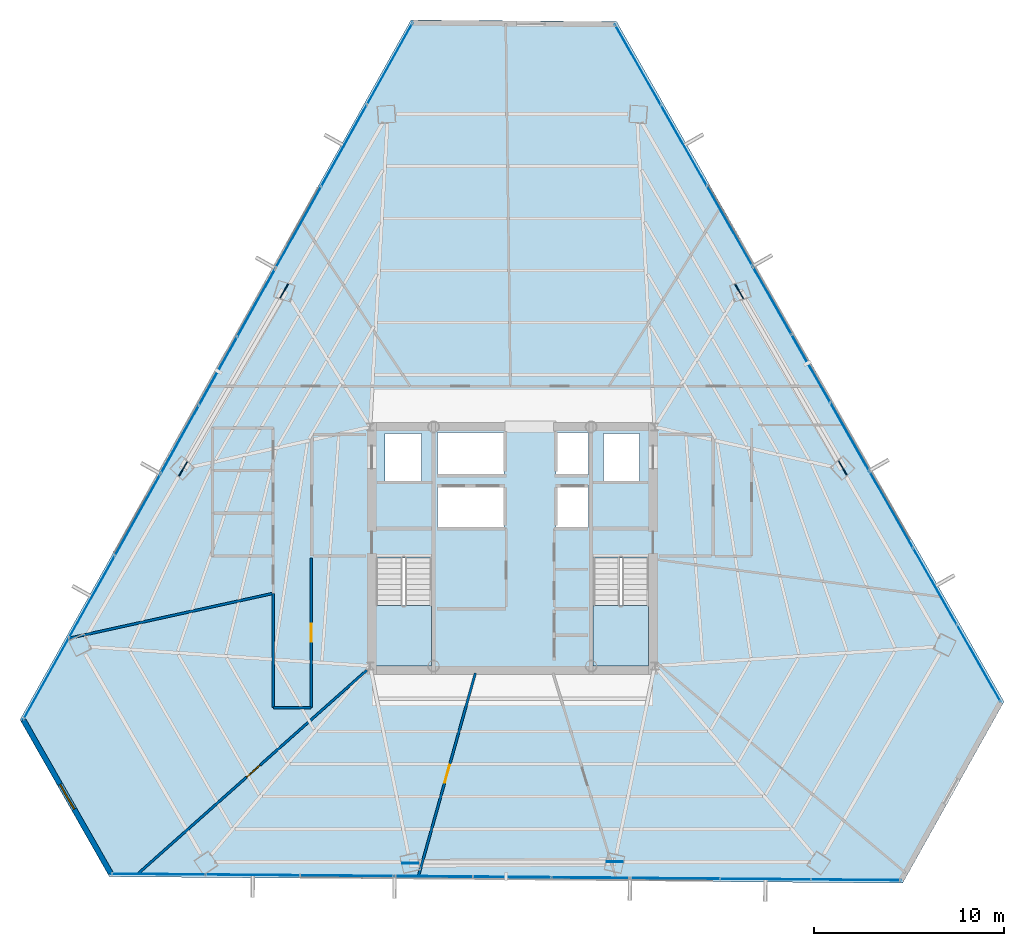
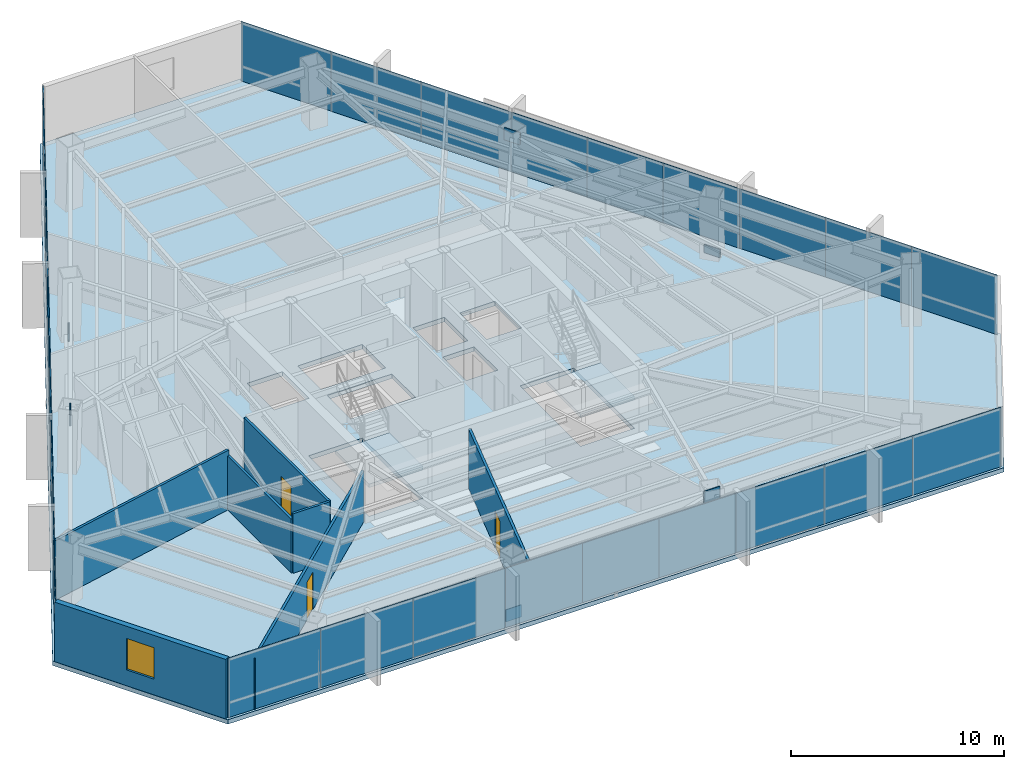
# One storey, part 33 of 39: 33 plates, 7 walls, 3 doors, 3 slabs, 1 window, 4 openings, 11 elements without a shape of their own.
"""IFC4 building model written with IfcOpenShell, lengths in metres."""

from ifc_helpers import new_model, si_unit, direction, frame, frame_2d, origin, origin_2d, place, context, subcontext, project, spatial, polyline, rectangle, outline, extrude, source, transform, mapped, material, layer, layer_set, type_object, type_shapes, element, fill, aggregate, save


model = new_model("IFC4")

# Units and contexts
model_context = context("Model", 3, precision=1e-05, world=origin(), true_north=direction((0.0, 1.0)))
body_context = subcontext(model_context, "Body", "Model", "MODEL_VIEW")
ifc_project = project(units=[si_unit("LENGTHUNIT", "METRE"), si_unit("AREAUNIT", "SQUARE_METRE"), si_unit("VOLUMEUNIT", "CUBIC_METRE"), si_unit("PLANEANGLEUNIT", "RADIAN"), si_unit("MASSUNIT", "GRAM", prefix="KILO")], contexts=[model_context])

# Site, building, storey
site_placement = place(None, origin())
site = spatial("IfcSite", under=ifc_project, at=site_placement, CompositionType="ELEMENT")
building_placement = place(site_placement, origin())
building = spatial("IfcBuilding", under=site, at=building_placement, Name="Caelisora Broadcast Tower", CompositionType="ELEMENT")
storey_placement = place(building_placement, frame((0.0, 0.0, 139.10009765625)))
storey = spatial("IfcBuildingStorey", under=building, at=storey_placement, Name="L36", CompositionType="ELEMENT", Elevation=139.10009765625)

# Slab
ifc_material_1 = material(Name="Concrete 40 MPa (AS 3600 N40)", Category="concrete")
ifc_layer_1 = layer(ifc_material_1, 0.25, Name="Concrete 40 MPa (AS 3600 N40)")
ifc_layer_set_1 = layer_set([ifc_layer_1], Name="Concrete 40 MPa (AS 3600 N40)")
slab_type_1 = type_object("IfcSlabType", Name="SL04", PredefinedType="FLOOR", material=ifc_layer_set_1)
slab_1_placement = place(storey_placement, frame((0.0, 0.0, -0.25)))
element("IfcSlab", 1, at=slab_1_placement, inside=storey, type_object=slab_type_1, Name="L36 suspended floor SL04", PredefinedType="FLOOR", context=body_context, shape_type="SweptSolid", body=[
    extrude(outline(polyline([(43.493896484375, 51.34912109375), (32.658935546875, 51.43798828125), (12.05908203125, 14.572021484375), (16.76806640625, 6.303955078125), (58.56103515625, 5.9619140625), (63.902099609375, 15.52001953125), (43.493896484375, 51.34912109375)]), holes=[polyline([(30.820068359375, 17.39990234375), (33.739990234375, 17.39990234375), (33.739990234375, 23.080078125), (30.820068359375, 23.080078125), (30.820068359375, 17.39990234375)]), polyline([(42.260009765625, 17.39990234375), (45.179931640625, 17.39990234375), (45.179931640625, 23.080078125), (42.260009765625, 23.080078125), (42.260009765625, 17.39990234375)]), polyline([(42.800048828125, 27.14990234375), (44.699951171875, 27.14990234375), (44.699951171875, 29.64990234375), (42.800048828125, 29.64990234375), (42.800048828125, 27.14990234375)]), polyline([(40.300048828125, 24.719970703125), (42.0, 24.719970703125), (42.0, 26.919921875), (40.300048828125, 26.919921875), (40.300048828125, 24.719970703125)]), polyline([(40.300048828125, 27.5), (42.0, 27.5), (42.0, 29.699951171875), (40.300048828125, 29.699951171875), (40.300048828125, 27.5)]), polyline([(34.050048828125, 24.719970703125), (37.550048828125, 24.719970703125), (37.550048828125, 26.919921875), (34.050048828125, 26.919921875), (34.050048828125, 24.719970703125)]), polyline([(34.050048828125, 27.5), (37.550048828125, 27.5), (37.550048828125, 29.699951171875), (34.050048828125, 29.699951171875), (34.050048828125, 27.5)]), polyline([(31.300048828125, 27.14990234375), (33.199951171875, 27.14990234375), (33.199951171875, 29.64990234375), (31.300048828125, 29.64990234375), (31.300048828125, 27.14990234375)])]), origin(), (0.0, 0.0, 1.0), 0.25),
])

# Stair, slab
stair_type_1 = type_object("IfcStairType", Name="ST-1", PredefinedType="HALF_TURN_STAIR", material=ifc_material_1)
stair_1_placement = place(storey_placement, origin())
stair_1 = element("IfcStair", 2, at=stair_1_placement, inside=storey, type_object=stair_type_1, Name="L36 West Fire-Isolated Tower Stair", PredefinedType="HALF_TURN_STAIR")
ifc_layer_2 = layer(ifc_material_1, 0.199951171875, Name="Concrete 40 MPa (AS 3600 N40)")
ifc_layer_set_2 = layer_set([ifc_layer_2], Name="Concrete 40 MPa (AS 3600 N40)")
slab_type_2 = type_object("IfcSlabType", Name="STL-1", PredefinedType="LANDING", material=ifc_layer_set_2)
slab_2_placement = place(storey_placement, frame((0.0, 0.0, 1.625)))
slab_2 = element("IfcSlab", 3, at=slab_2_placement, type_object=slab_type_2, Name="ST-1 landing 1", PredefinedType="LANDING", context=body_context, shape_type="SweptSolid", body=[
    extrude(outline(polyline([(30.820068359375, 20.580078125), (30.820068359375, 17.39990234375), (33.739990234375, 17.39990234375), (33.739990234375, 20.580078125), (30.820068359375, 20.580078125)])), origin(), (0.0, 0.0, 1.0), 0.199951171875),
])
aggregate(stair_1, [slab_2])

stair_type_2 = type_object("IfcStairType", Name="ST-2", PredefinedType="HALF_TURN_STAIR", material=ifc_material_1)
stair_2_placement = place(storey_placement, origin())
stair_2 = element("IfcStair", 4, at=stair_2_placement, inside=storey, type_object=stair_type_2, Name="L36 East Fire-Isolated Tower Stair", PredefinedType="HALF_TURN_STAIR")
slab_3_placement = place(storey_placement, frame((0.0, 0.0, 1.625)))
slab_3 = element("IfcSlab", 5, at=slab_3_placement, type_object=slab_type_2, Name="ST-2 landing 1", PredefinedType="LANDING", context=body_context, shape_type="SweptSolid", body=[
    extrude(outline(polyline([(42.260009765625, 20.580078125), (42.260009765625, 17.39990234375), (45.179931640625, 17.39990234375), (45.179931640625, 20.580078125), (42.260009765625, 20.580078125)])), origin(), (0.0, 0.0, 1.0), 0.199951171875),
])
aggregate(stair_2, [slab_3])

# Plates
ifc_material_2 = material(Name="Steel Grade 350 L15 (AS/NZS 3678)", Category="steel")
ifc_layer_3 = layer(ifc_material_2, 0.050048828125, Name="Steel Grade 350 L15 (AS/NZS 3678)")
ifc_layer_set_3 = layer_set([ifc_layer_3], Name="Steel Grade 350 L15 (AS/NZS 3678)")
plate_type_1 = type_object("IfcPlateType", Name="GP03", PredefinedType="USERDEFINED", material=ifc_layer_set_3)
shared_shape_1 = source(origin(), body_context, "Body", "SweptSolid", [
    extrude(rectangle(XDim=0.85009765625, YDim=0.050048828125, at=origin_2d()), origin(), (0.0, 0.0, 1.0), 0.699951171875),
])
type_shapes(plate_type_1, [shared_shape_1])
for number, where, z_axis, x_axis, name in (
    (6, (25.97412109375, 37.1533203125, -0.22998046875), (0.0, 0.0, 1.0), (-0.5, -0.866025403784, 0.0), "L36 gusset plate GP03 (ND-L36-C02B)"),
    (7, (20.650390625, 27.787841796875, 2.72998046875), (0.0, 0.0, 1.0), (-0.5, -0.866025403784, 0.0), "L36 gusset plate GP03 (ND-L36-C03T)"),
    (8, (32.6220703125, 7.008544921875, -0.22998046875), (0.0, 0.0, 1.0), (1.0, 0.0, 0.0), "L36 gusset plate GP03 (ND-L36-C06B)"),
    (9, (43.394287109375, 7.080810546875, 2.72998046875), (0.0, 0.0, 1.0), (1.0, 0.0, 0.0), "L36 gusset plate GP03 (ND-L36-C07T)"),
    (10, (55.404052734375, 27.838134765625, -0.22998046875), (0.0, 0.0, 1.0), (-0.5, 0.866025403784, 0.0), "L36 gusset plate GP03 (ND-L36-C10B)"),
    (11, (49.955078125, 37.13134765625, 2.72998046875), (0.0, 0.0, 1.0), (-0.5, 0.866025403784, 0.0), "L36 gusset plate GP03 (ND-L36-C11T)"),
):
    element("IfcPlate", number, at=place(storey_placement, frame(where, z_axis=z_axis, x_axis=x_axis)), inside=storey, type_object=plate_type_1, Name=name, ObjectType="GUSSET PLATE", PredefinedType="USERDEFINED", context=body_context, shape_type="MappedRepresentation", body=[
        mapped(shared_shape_1, transform((0.0, 0.0, 0.0), scale=1.0)),
    ])

# Curtain wall, plates
ifc_material_3 = material(Name="Unitised Aluminium and Low-E Glass Curtain Wall", Category="glass")
curtain_wall_type_1 = type_object("IfcCurtainWallType", Name="CW-Z3", PredefinedType="NOTDEFINED", material=ifc_material_3)
curtain_wall_1_placement = place(storey_placement, origin())
curtain_wall_1 = element("IfcCurtainWall", 12, at=curtain_wall_1_placement, inside=storey, type_object=curtain_wall_type_1, Name="L36 curtain wall CW-Z3", PredefinedType="NOTDEFINED")
ifc_material_4 = material(Name="Double Glazed Low-E Argon IGU", Category="glass")
ifc_layer_4 = layer(ifc_material_4, 0.031982421875, Name="Double Glazed Low-E Argon IGU")
ifc_layer_set_4 = layer_set([ifc_layer_4], Name="Double Glazed Low-E Argon IGU")
plate_type_2 = type_object("IfcPlateType", Name="CWP-04", PredefinedType="CURTAIN_PANEL", material=ifc_layer_set_4)
shared_shape_2 = source(origin(), body_context, "Body", "SweptSolid", [
    extrude(rectangle(XDim=4.884033203125, YDim=0.031982421875, at=origin_2d()), origin(), (0.0, 0.0, 1.0), 3.39990234375),
])
plate_1_placement = place(storey_placement, frame((44.61474609375, 49.078125, 0.0), z_axis=(0.0, 0.0, 1.0), x_axis=(0.495003786139, -0.868890816908, 0.0)))
plate_1 = element("IfcPlate", 13, at=plate_1_placement, type_object=plate_type_2, Name="L36-CW-B01 glazed panel #1", PredefinedType="CURTAIN_PANEL", context=body_context, shape_type="MappedRepresentation", body=[
    mapped(shared_shape_2, transform((0.0, 0.0, 0.0), scale=1.0)),
])
plate_2_placement = place(storey_placement, frame((47.031982421875, 44.834228515625, 0.0), z_axis=(0.0, 0.0, 1.0), x_axis=(0.495003786139, -0.868890816908, 0.0)))
plate_2 = element("IfcPlate", 14, at=plate_2_placement, type_object=plate_type_2, Name="L36-CW-B01 glazed panel #2", PredefinedType="CURTAIN_PANEL", context=body_context, shape_type="MappedRepresentation", body=[
    mapped(shared_shape_2, transform((0.0, 0.0, 0.0), scale=1.0)),
])
plate_3_placement = place(storey_placement, frame((49.44921875, 40.59033203125, 0.0), z_axis=(0.0, 0.0, 1.0), x_axis=(0.495003786139, -0.868890816908, 0.0)))
plate_3 = element("IfcPlate", 15, at=plate_3_placement, type_object=plate_type_2, Name="L36-CW-B01 glazed panel #3", PredefinedType="CURTAIN_PANEL", context=body_context, shape_type="MappedRepresentation", body=[
    mapped(shared_shape_2, transform((0.0, 0.0, 0.0), scale=1.0)),
])
aggregate(curtain_wall_1, [plate_1, plate_2, plate_3])

ifc_material_5 = material(Name="Unitised Aluminium Insulated Shadow-Box Spandrel Curtain Wall", Category="aluminium")
curtain_wall_type_2 = type_object("IfcCurtainWallType", Name="CW-SP2", PredefinedType="NOTDEFINED", material=ifc_material_5)
curtain_wall_2_placement = place(storey_placement, origin())
curtain_wall_2 = element("IfcCurtainWall", 16, at=curtain_wall_2_placement, inside=storey, type_object=curtain_wall_type_2, Name="L36 curtain wall CW-SP2", PredefinedType="NOTDEFINED")
ifc_material_6 = material(Name="Insulated Terracotta Shadow-Box Spandrel Panel", Category="aluminium")
ifc_layer_5 = layer(ifc_material_6, 0.0439453125, Name="Insulated Terracotta Shadow-Box Spandrel Panel")
ifc_layer_set_5 = layer_set([ifc_layer_5], Name="Insulated Terracotta Shadow-Box Spandrel Panel")
plate_type_3 = type_object("IfcPlateType", Name="CWP-10", PredefinedType="CURTAIN_PANEL", material=ifc_layer_set_5)
shared_shape_3 = source(origin(), body_context, "Body", "SweptSolid", [
    extrude(rectangle(XDim=4.132080078125, YDim=0.0439453125, at=origin_2d()), origin(), (0.0, 0.0, 1.0), 3.39990234375),
])
plate_4_placement = place(storey_placement, frame((51.685546875, 36.66455078125, 0.0), z_axis=(0.0, 0.0, 1.0), x_axis=(0.495003786139, -0.868890816908, 0.0)))
plate_4 = element("IfcPlate", 17, at=plate_4_placement, type_object=plate_type_3, Name="L36-CW-B02 spandrel panel #1", PredefinedType="CURTAIN_PANEL", context=body_context, shape_type="MappedRepresentation", body=[
    mapped(shared_shape_3, transform((0.0, 0.0, 0.0), scale=1.0)),
])
plate_5_placement = place(storey_placement, frame((53.73046875, 33.07421875, 0.0), z_axis=(0.0, 0.0, 1.0), x_axis=(0.495003786139, -0.868890816908, 0.0)))
plate_5 = element("IfcPlate", 18, at=plate_5_placement, type_object=plate_type_3, Name="L36-CW-B02 spandrel panel #2", PredefinedType="CURTAIN_PANEL", context=body_context, shape_type="MappedRepresentation", body=[
    mapped(shared_shape_3, transform((0.0, 0.0, 0.0), scale=1.0)),
])
plate_6_placement = place(storey_placement, frame((55.775634765625, 29.48388671875, 0.0), z_axis=(0.0, 0.0, 1.0), x_axis=(0.495003786139, -0.868890816908, 0.0)))
plate_6 = element("IfcPlate", 19, at=plate_6_placement, type_object=plate_type_3, Name="L36-CW-B02 spandrel panel #3", PredefinedType="CURTAIN_PANEL", context=body_context, shape_type="MappedRepresentation", body=[
    mapped(shared_shape_3, transform((0.0, 0.0, 0.0), scale=1.0)),
])
aggregate(curtain_wall_2, [plate_4, plate_5, plate_6])

curtain_wall_3_placement = place(storey_placement, origin())
curtain_wall_3 = element("IfcCurtainWall", 20, at=curtain_wall_3_placement, inside=storey, type_object=curtain_wall_type_1, Name="L36 curtain wall CW-Z3", PredefinedType="NOTDEFINED")
shared_shape_4 = source(origin(), body_context, "Body", "SweptSolid", [
    extrude(rectangle(XDim=4.6650390625, YDim=0.031982421875, at=origin_2d()), origin(), (0.0, 0.0, 1.0), 3.39990234375),
])
plate_7_placement = place(storey_placement, frame((57.95751953125, 25.653076171875, 0.0), z_axis=(0.0, 0.0, 1.0), x_axis=(0.495003786139, -0.868890816908, 0.0)))
plate_7 = element("IfcPlate", 21, at=plate_7_placement, type_object=plate_type_2, Name="L36-CW-B03 glazed panel #1", PredefinedType="CURTAIN_PANEL", context=body_context, shape_type="MappedRepresentation", body=[
    mapped(shared_shape_4, transform((0.0, 0.0, 0.0), scale=1.0)),
])
plate_8_placement = place(storey_placement, frame((60.2666015625, 21.599365234375, 0.0), z_axis=(0.0, 0.0, 1.0), x_axis=(0.495003786139, -0.868890816908, 0.0)))
plate_8 = element("IfcPlate", 22, at=plate_8_placement, type_object=plate_type_2, Name="L36-CW-B03 glazed panel #2", PredefinedType="CURTAIN_PANEL", context=body_context, shape_type="MappedRepresentation", body=[
    mapped(shared_shape_4, transform((0.0, 0.0, 0.0), scale=1.0)),
])
plate_9_placement = place(storey_placement, frame((62.575439453125, 17.5458984375, 0.0), z_axis=(0.0, 0.0, 1.0), x_axis=(0.495003786139, -0.868890816908, 0.0)))
plate_9 = element("IfcPlate", 23, at=plate_9_placement, type_object=plate_type_2, Name="L36-CW-B03 glazed panel #3", PredefinedType="CURTAIN_PANEL", context=body_context, shape_type="MappedRepresentation", body=[
    mapped(shared_shape_4, transform((0.0, 0.0, 0.0), scale=1.0)),
])
aggregate(curtain_wall_3, [plate_7, plate_8, plate_9])

curtain_wall_4_placement = place(storey_placement, origin())
curtain_wall_4 = element("IfcCurtainWall", 24, at=curtain_wall_4_placement, inside=storey, type_object=curtain_wall_type_1, Name="L36 curtain wall CW-Z3", PredefinedType="NOTDEFINED")
shared_shape_5 = source(origin(), body_context, "Body", "SweptSolid", [
    extrude(rectangle(XDim=4.75732421875, YDim=0.031982421875, at=origin_2d()), origin(), (0.0, 0.0, 1.0), 3.39990234375),
])
plate_10_placement = place(storey_placement, frame((56.094482421875, 6.13232421875, 0.0), z_axis=(0.0, 0.0, 1.0), x_axis=(-0.999966355195, 0.008202955488, 0.0)))
plate_10 = element("IfcPlate", 25, at=plate_10_placement, type_object=plate_type_2, Name="L36-CW-B05 glazed panel #1", PredefinedType="CURTAIN_PANEL", context=body_context, shape_type="MappedRepresentation", body=[
    mapped(shared_shape_5, transform((0.0, 0.0, 0.0), scale=1.0)),
])
plate_11_placement = place(storey_placement, frame((51.33740234375, 6.17138671875, 0.0), z_axis=(0.0, 0.0, 1.0), x_axis=(-0.999966355195, 0.008202955488, 0.0)))
plate_11 = element("IfcPlate", 26, at=plate_11_placement, type_object=plate_type_2, Name="L36-CW-B05 glazed panel #2", PredefinedType="CURTAIN_PANEL", context=body_context, shape_type="MappedRepresentation", body=[
    mapped(shared_shape_5, transform((0.0, 0.0, 0.0), scale=1.0)),
])
plate_12_placement = place(storey_placement, frame((46.580078125, 6.210205078125, 0.0), z_axis=(0.0, 0.0, 1.0), x_axis=(-0.999966355195, 0.008202955488, 0.0)))
plate_12 = element("IfcPlate", 27, at=plate_12_placement, type_object=plate_type_2, Name="L36-CW-B05 glazed panel #3", PredefinedType="CURTAIN_PANEL", context=body_context, shape_type="MappedRepresentation", body=[
    mapped(shared_shape_5, transform((0.0, 0.0, 0.0), scale=1.0)),
])
aggregate(curtain_wall_4, [plate_10, plate_11, plate_12])

curtain_wall_5_placement = place(storey_placement, origin())
curtain_wall_5 = element("IfcCurtainWall", 28, at=curtain_wall_5_placement, inside=storey, type_object=curtain_wall_type_2, Name="L36 curtain wall CW-SP2", PredefinedType="NOTDEFINED")
shared_shape_6 = source(origin(), body_context, "Body", "SweptSolid", [
    extrude(rectangle(XDim=4.1318359375, YDim=0.0439453125, at=origin_2d()), origin(), (0.0, 0.0, 1.0), 3.39990234375),
])
plate_13_placement = place(storey_placement, frame((42.125732421875, 6.24658203125, 0.0), z_axis=(0.0, 0.0, 1.0), x_axis=(-0.999966355195, 0.008202955488, 0.0)))
plate_13 = element("IfcPlate", 29, at=plate_13_placement, type_object=plate_type_3, Name="L36-CW-B06 spandrel panel #1", PredefinedType="CURTAIN_PANEL", context=body_context, shape_type="MappedRepresentation", body=[
    mapped(shared_shape_6, transform((0.0, 0.0, 0.0), scale=1.0)),
])
plate_14_placement = place(storey_placement, frame((37.994140625, 6.2802734375, 0.0), z_axis=(0.0, 0.0, 1.0), x_axis=(-0.999966355195, 0.008202955488, 0.0)))
plate_14 = element("IfcPlate", 30, at=plate_14_placement, type_object=plate_type_3, Name="L36-CW-B06 spandrel panel #2", PredefinedType="CURTAIN_PANEL", context=body_context, shape_type="MappedRepresentation", body=[
    mapped(shared_shape_6, transform((0.0, 0.0, 0.0), scale=1.0)),
])
plate_15_placement = place(storey_placement, frame((33.8623046875, 6.314208984375, 0.0), z_axis=(0.0, 0.0, 1.0), x_axis=(-0.999966355195, 0.008202955488, 0.0)))
plate_15 = element("IfcPlate", 31, at=plate_15_placement, type_object=plate_type_3, Name="L36-CW-B06 spandrel panel #3", PredefinedType="CURTAIN_PANEL", context=body_context, shape_type="MappedRepresentation", body=[
    mapped(shared_shape_6, transform((0.0, 0.0, 0.0), scale=1.0)),
])
aggregate(curtain_wall_5, [plate_13, plate_14, plate_15])

curtain_wall_6_placement = place(storey_placement, origin())
curtain_wall_6 = element("IfcCurtainWall", 32, at=curtain_wall_6_placement, inside=storey, type_object=curtain_wall_type_1, Name="L36 curtain wall CW-Z3", PredefinedType="NOTDEFINED")
shared_shape_7 = source(origin(), body_context, "Body", "SweptSolid", [
    extrude(rectangle(XDim=4.97705078125, YDim=0.031982421875, at=origin_2d()), origin(), (0.0, 0.0, 1.0), 3.39990234375),
])
plate_16_placement = place(storey_placement, frame((29.298095703125, 6.351318359375, 0.0), z_axis=(0.0, 0.0, 1.0), x_axis=(-0.999966355195, 0.008202955488, 0.0)))
plate_16 = element("IfcPlate", 33, at=plate_16_placement, type_object=plate_type_2, Name="L36-CW-B07 glazed panel #1", PredefinedType="CURTAIN_PANEL", context=body_context, shape_type="MappedRepresentation", body=[
    mapped(shared_shape_7, transform((0.0, 0.0, 0.0), scale=1.0)),
])
plate_17_placement = place(storey_placement, frame((24.3212890625, 6.39208984375, 0.0), z_axis=(0.0, 0.0, 1.0), x_axis=(-0.999966355195, 0.008202955488, 0.0)))
plate_17 = element("IfcPlate", 34, at=plate_17_placement, type_object=plate_type_2, Name="L36-CW-B07 glazed panel #2", PredefinedType="CURTAIN_PANEL", context=body_context, shape_type="MappedRepresentation", body=[
    mapped(shared_shape_7, transform((0.0, 0.0, 0.0), scale=1.0)),
])
plate_18_placement = place(storey_placement, frame((19.344482421875, 6.4326171875, 0.0), z_axis=(0.0, 0.0, 1.0), x_axis=(-0.999966355195, 0.008202955488, 0.0)))
plate_18 = element("IfcPlate", 35, at=plate_18_placement, type_object=plate_type_2, Name="L36-CW-B07 glazed panel #3", PredefinedType="CURTAIN_PANEL", context=body_context, shape_type="MappedRepresentation", body=[
    mapped(shared_shape_7, transform((0.0, 0.0, 0.0), scale=1.0)),
])
aggregate(curtain_wall_6, [plate_16, plate_17, plate_18])

curtain_wall_7_placement = place(storey_placement, origin())
curtain_wall_7 = element("IfcCurtainWall", 36, at=curtain_wall_7_placement, inside=storey, type_object=curtain_wall_type_1, Name="L36 curtain wall CW-Z3", PredefinedType="NOTDEFINED")
shared_shape_8 = source(origin(), body_context, "Body", "SweptSolid", [
    extrude(rectangle(XDim=4.943359375, YDim=0.031982421875, at=origin_2d()), origin(), (0.0, 0.0, 1.0), 3.39990234375),
])
plate_19_placement = place(storey_placement, frame((13.436767578125, 16.730712890625, 0.0), z_axis=(0.0, 0.0, 1.0), x_axis=(0.487859659139, 0.87292207727, 0.0)))
plate_19 = element("IfcPlate", 37, at=plate_19_placement, type_object=plate_type_2, Name="L36-CW-B09 glazed panel #1", PredefinedType="CURTAIN_PANEL", context=body_context, shape_type="MappedRepresentation", body=[
    mapped(shared_shape_8, transform((0.0, 0.0, 0.0), scale=1.0)),
])
plate_20_placement = place(storey_placement, frame((15.84814453125, 21.046142578125, 0.0), z_axis=(0.0, 0.0, 1.0), x_axis=(0.487859659139, 0.87292207727, 0.0)))
plate_20 = element("IfcPlate", 38, at=plate_20_placement, type_object=plate_type_2, Name="L36-CW-B09 glazed panel #2", PredefinedType="CURTAIN_PANEL", context=body_context, shape_type="MappedRepresentation", body=[
    mapped(shared_shape_8, transform((0.0, 0.0, 0.0), scale=1.0)),
])
plate_21_placement = place(storey_placement, frame((18.259765625, 25.361572265625, 0.0), z_axis=(0.0, 0.0, 1.0), x_axis=(0.487859659139, 0.87292207727, 0.0)))
plate_21 = element("IfcPlate", 39, at=plate_21_placement, type_object=plate_type_2, Name="L36-CW-B09 glazed panel #3", PredefinedType="CURTAIN_PANEL", context=body_context, shape_type="MappedRepresentation", body=[
    mapped(shared_shape_8, transform((0.0, 0.0, 0.0), scale=1.0)),
])
aggregate(curtain_wall_7, [plate_19, plate_20, plate_21])

curtain_wall_8_placement = place(storey_placement, origin())
curtain_wall_8 = element("IfcCurtainWall", 40, at=curtain_wall_8_placement, inside=storey, type_object=curtain_wall_type_2, Name="L36 curtain wall CW-SP2", PredefinedType="NOTDEFINED")
shared_shape_9 = source(origin(), body_context, "Body", "SweptSolid", [
    extrude(rectangle(XDim=4.131591796875, YDim=0.0439453125, at=origin_2d()), origin(), (0.0, 0.0, 1.0), 3.39990234375),
])
type_shapes(plate_type_3, [shared_shape_3, shared_shape_6, shared_shape_9])
plate_22_placement = place(storey_placement, frame((20.47802734375, 29.331298828125, 0.0), z_axis=(0.0, 0.0, 1.0), x_axis=(0.487859659139, 0.87292207727, 0.0)))
plate_22 = element("IfcPlate", 41, at=plate_22_placement, type_object=plate_type_3, Name="L36-CW-B10 spandrel panel #1", PredefinedType="CURTAIN_PANEL", context=body_context, shape_type="MappedRepresentation", body=[
    mapped(shared_shape_9, transform((0.0, 0.0, 0.0), scale=1.0)),
])
plate_23_placement = place(storey_placement, frame((22.493408203125, 32.93798828125, 0.0), z_axis=(0.0, 0.0, 1.0), x_axis=(0.487859659139, 0.87292207727, 0.0)))
plate_23 = element("IfcPlate", 42, at=plate_23_placement, type_object=plate_type_3, Name="L36-CW-B10 spandrel panel #2", PredefinedType="CURTAIN_PANEL", context=body_context, shape_type="MappedRepresentation", body=[
    mapped(shared_shape_9, transform((0.0, 0.0, 0.0), scale=1.0)),
])
plate_24_placement = place(storey_placement, frame((24.5087890625, 36.544677734375, 0.0), z_axis=(0.0, 0.0, 1.0), x_axis=(0.487859659139, 0.87292207727, 0.0)))
plate_24 = element("IfcPlate", 43, at=plate_24_placement, type_object=plate_type_3, Name="L36-CW-B10 spandrel panel #3", PredefinedType="CURTAIN_PANEL", context=body_context, shape_type="MappedRepresentation", body=[
    mapped(shared_shape_9, transform((0.0, 0.0, 0.0), scale=1.0)),
])
aggregate(curtain_wall_8, [plate_22, plate_23, plate_24])

curtain_wall_9_placement = place(storey_placement, origin())
curtain_wall_9 = element("IfcCurtainWall", 44, at=curtain_wall_9_placement, inside=storey, type_object=curtain_wall_type_1, Name="L36 curtain wall CW-Z3", PredefinedType="NOTDEFINED")
shared_shape_10 = source(origin(), body_context, "Body", "SweptSolid", [
    extrude(rectangle(XDim=4.937255859375, YDim=0.031982421875, at=origin_2d()), origin(), (0.0, 0.0, 1.0), 3.39990234375),
])
type_shapes(plate_type_2, [shared_shape_2, shared_shape_4, shared_shape_5, shared_shape_7, shared_shape_8, shared_shape_10])
plate_25_placement = place(storey_placement, frame((26.725830078125, 40.511962890625, 0.0), z_axis=(0.0, 0.0, 1.0), x_axis=(0.487859659139, 0.87292207727, 0.0)))
plate_25 = element("IfcPlate", 45, at=plate_25_placement, type_object=plate_type_2, Name="L36-CW-B11 glazed panel #1", PredefinedType="CURTAIN_PANEL", context=body_context, shape_type="MappedRepresentation", body=[
    mapped(shared_shape_10, transform((0.0, 0.0, 0.0), scale=1.0)),
])
plate_26_placement = place(storey_placement, frame((29.13427734375, 44.822021484375, 0.0), z_axis=(0.0, 0.0, 1.0), x_axis=(0.487859659139, 0.87292207727, 0.0)))
plate_26 = element("IfcPlate", 46, at=plate_26_placement, type_object=plate_type_2, Name="L36-CW-B11 glazed panel #2", PredefinedType="CURTAIN_PANEL", context=body_context, shape_type="MappedRepresentation", body=[
    mapped(shared_shape_10, transform((0.0, 0.0, 0.0), scale=1.0)),
])
plate_27_placement = place(storey_placement, frame((31.542724609375, 49.132080078125, 0.0), z_axis=(0.0, 0.0, 1.0), x_axis=(0.487859659139, 0.87292207727, 0.0)))
plate_27 = element("IfcPlate", 47, at=plate_27_placement, type_object=plate_type_2, Name="L36-CW-B11 glazed panel #3", PredefinedType="CURTAIN_PANEL", context=body_context, shape_type="MappedRepresentation", body=[
    mapped(shared_shape_10, transform((0.0, 0.0, 0.0), scale=1.0)),
])
aggregate(curtain_wall_9, [plate_25, plate_26, plate_27])

# Wall, opening, window
ifc_material_7 = material(Name="Insulated Terracotta Spandrel Wall System", Category="masonry")
ifc_layer_6 = layer(ifc_material_7, 0.280029296875, Name="Insulated Terracotta Spandrel Wall System")
ifc_layer_set_6 = layer_set([ifc_layer_6], Name="Insulated Terracotta Spandrel Wall System")
wall_type_1 = type_object("IfcWallType", Name="EW1", PredefinedType="STANDARD", material=ifc_layer_set_6)
wall_1_placement = place(storey_placement, frame((16.84130859375, 6.47900390625, 0.0), z_axis=(0.0, 0.0, 1.0), x_axis=(-0.494940652356, 0.868926780946, 0.0)))
wall_1 = element("IfcWall", 48, at=wall_1_placement, inside=storey, type_object=wall_type_1, Name="L36 exterior envelope wall EW1", PredefinedType="STANDARD", context=body_context, shape_type="SweptSolid", body=[
    extrude(rectangle(XDim=9.284912109375, YDim=0.280029296875, at=frame_2d((4.642578125, 0.0))), origin(), (0.0, 0.0, 1.0), 3.39990234375),
])
opening_1_placement = place(wall_1_placement, frame((3.889892578125, 0.0, 0.89990234375)))
opening_1 = element("IfcOpeningElement", 49, at=opening_1_placement, cuts=wall_1, Name="Opening W02", PredefinedType="OPENING", context=body_context, shape_type="SweptSolid", body=[
    extrude(rectangle(XDim=1.5, YDim=1.800048828125, at=frame_2d((0.75, 0.89990234375))), frame((0.0, 0.152099609375, 0.0), z_axis=(0.0, -1.0, 0.0), x_axis=(1.0, 0.0, 0.0)), (0.0, 0.0, 1.0), 0.303955078125),
])
ifc_material_8 = material(Name="Double Glazed Terracotta-Framed Vision Window", Category="glass")
window_type = type_object("IfcWindowType", Name="W02", PartitioningType="SINGLE_PANEL", PredefinedType="WINDOW", material=ifc_material_8)
window_placement = place(opening_1_placement, origin())
window = element("IfcWindow", 50, at=window_placement, inside=storey, type_object=window_type, Name="L36 window W02 (L36-WN-CH4)", OverallHeight=1.800048828125, OverallWidth=1.5, PartitioningType="SINGLE_PANEL", PredefinedType="WINDOW", context=body_context, shape_type="SweptSolid", body=[
    extrude(rectangle(XDim=1.5, YDim=1.800048828125, at=frame_2d((0.75, 0.89990234375))), frame((0.0, 0.030029296875, 0.0), z_axis=(0.0, -1.0, 0.0), x_axis=(1.0, 0.0, 0.0)), (0.0, 0.0, 1.0), 0.06005859375),
])
fill(opening_1, window)

# Wall, opening, door
ifc_material_9 = material(Name="Acoustic Steel-Stud Plasterboard Partition", Category="gypsum")
ifc_layer_7 = layer(ifc_material_9, 0.1298828125, Name="Acoustic Steel-Stud Plasterboard Partition")
ifc_layer_set_7 = layer_set([ifc_layer_7], Name="Acoustic Steel-Stud Plasterboard Partition")
wall_type_2 = type_object("IfcWallType", Name="PW3", PredefinedType="PARTITIONING", material=ifc_layer_set_7)
wall_2_placement = place(storey_placement, frame((18.2490234375, 6.43701171875, 0.0), z_axis=(0.0, 0.0, 1.0), x_axis=(0.747352719188, 0.6644275078, 0.0)))
wall_2 = element("IfcWall", 51, at=wall_2_placement, inside=storey, type_object=wall_type_2, Name="L36 internal partition PW3", PredefinedType="PARTITIONING", context=body_context, shape_type="SweptSolid", body=[
    extrude(rectangle(XDim=16.183837890625, YDim=0.1298828125, at=frame_2d((8.091796875, 0.0))), origin(), (0.0, 0.0, 1.0), 2.924560546875),
])
opening_2_placement = place(wall_2_placement, frame((7.68505859375, 0.0, 0.0)))
opening_2 = element("IfcOpeningElement", 52, at=opening_2_placement, cuts=wall_2, Name="Opening D01", PredefinedType="OPENING", context=body_context, shape_type="SweptSolid", body=[
    extrude(rectangle(XDim=0.9599609375, YDim=2.14990234375, at=frame_2d((0.47998046875, 1.074951171875))), frame((0.0, 0.076904296875, 0.0), z_axis=(0.0, -1.0, 0.0), x_axis=(1.0, 0.0, 0.0)), (0.0, 0.0, 1.0), 0.15380859375),
])
ifc_material_10 = material(Name="Solid-Core Timber Acoustic Office Door", Category="wood")
door_type = type_object("IfcDoorType", Name="D01", OperationType="NOTDEFINED", PredefinedType="DOOR", material=ifc_material_10)
door_1_placement = place(opening_2_placement, origin())
door_1 = element("IfcDoor", 53, at=door_1_placement, inside=storey, type_object=door_type, Name="L36 door D01 (L36-DR-P29D1)", OperationType="SINGLE_SWING_RIGHT", OverallHeight=2.14990234375, OverallWidth=0.9599609375, PredefinedType="DOOR", context=body_context, shape_type="SweptSolid", body=[
    extrude(rectangle(XDim=0.9599609375, YDim=2.14990234375, at=frame_2d((0.47998046875, 1.074951171875))), frame((0.0, 0.02490234375, 0.0), z_axis=(0.0, -1.0, 0.0), x_axis=(1.0, 0.0, 0.0)), (0.0, 0.0, 1.0), 0.050048828125),
])
fill(opening_2, door_1)

wall_3_placement = place(storey_placement, frame((33.046875, 6.31591796875, 0.0), z_axis=(0.0, 0.0, 1.0), x_axis=(0.269944107311, 0.962875993536, 0.0)))
wall_3 = element("IfcWall", 54, at=wall_3_placement, inside=storey, type_object=wall_type_2, Name="L36 internal partition PW3", PredefinedType="PARTITIONING", context=body_context, shape_type="SweptSolid", body=[
    extrude(rectangle(XDim=11.125244140625, YDim=0.1298828125, at=frame_2d((5.5625, 0.0))), origin(), (0.0, 0.0, 1.0), 3.39990234375),
])
opening_3_placement = place(wall_3_placement, frame((5.132080078125, 0.0, 0.0)))
opening_3 = element("IfcOpeningElement", 55, at=opening_3_placement, cuts=wall_3, Name="Opening D01", PredefinedType="OPENING", context=body_context, shape_type="SweptSolid", body=[
    extrude(rectangle(XDim=0.9599609375, YDim=2.14990234375, at=frame_2d((0.47998046875, 1.074951171875))), frame((0.0, 0.076904296875, 0.0), z_axis=(0.0, -1.0, 0.0), x_axis=(1.0, 0.0, 0.0)), (0.0, 0.0, 1.0), 0.15380859375),
])
door_2_placement = place(opening_3_placement, origin())
door_2 = element("IfcDoor", 56, at=door_2_placement, inside=storey, type_object=door_type, Name="L36 door D01 (L36-DR-P32D1)", OperationType="SINGLE_SWING_RIGHT", OverallHeight=2.14990234375, OverallWidth=0.9599609375, PredefinedType="DOOR", context=body_context, shape_type="SweptSolid", body=[
    extrude(rectangle(XDim=0.9599609375, YDim=2.14990234375, at=frame_2d((0.47998046875, 1.074951171875))), frame((0.0, 0.02490234375, 0.0), z_axis=(0.0, -1.0, 0.0), x_axis=(1.0, 0.0, 0.0)), (0.0, 0.0, 1.0), 0.050048828125),
])
fill(opening_3, door_2)

# Wall
wall_4_placement = place(storey_placement, frame((14.620361328125, 18.858642578125, 0.0), z_axis=(0.0, 0.0, 1.0), x_axis=(0.976645674066, 0.214856294598, 0.0)))
element("IfcWall", 57, at=wall_4_placement, inside=storey, type_object=wall_type_2, Name="L36 internal partition PW3", PredefinedType="PARTITIONING", context=body_context, shape_type="SweptSolid", body=[
    extrude(rectangle(XDim=11.0322265625, YDim=0.1298828125, at=frame_2d((5.51611328125, 0.0))), origin(), (0.0, 0.0, 1.0), 3.39990234375),
])

# Wall, opening, door
wall_5_placement = place(storey_placement, frame((27.39990234375, 15.205078125, 0.0), z_axis=(0.0, 0.0, 1.0), x_axis=(0.0, 1.0, 0.0)))
wall_5 = element("IfcWall", 58, at=wall_5_placement, inside=storey, type_object=wall_type_2, Name="L36 internal partition PW3", PredefinedType="PARTITIONING", context=body_context, shape_type="SweptSolid", body=[
    extrude(rectangle(XDim=7.89990234375, YDim=0.1298828125, at=frame_2d((3.949951171875, 0.0))), origin(), (0.0, 0.0, 1.0), 3.39990234375),
])
opening_4_placement = place(wall_5_placement, frame((3.469970703125, 0.0, 0.0)))
opening_4 = element("IfcOpeningElement", 59, at=opening_4_placement, cuts=wall_5, Name="Opening D01", PredefinedType="OPENING", context=body_context, shape_type="SweptSolid", body=[
    extrude(rectangle(XDim=0.9599609375, YDim=2.14990234375, at=frame_2d((0.47998046875, 1.074951171875))), frame((0.0, 0.076904296875, 0.0), z_axis=(0.0, -1.0, 0.0), x_axis=(1.0, 0.0, 0.0)), (0.0, 0.0, 1.0), 0.15380859375),
])
door_3_placement = place(opening_4_placement, origin())
door_3 = element("IfcDoor", 60, at=door_3_placement, inside=storey, type_object=door_type, Name="L36 door D01 (L36-DR-P40D1)", OperationType="SINGLE_SWING_LEFT", OverallHeight=2.14990234375, OverallWidth=0.9599609375, PredefinedType="DOOR", context=body_context, shape_type="SweptSolid", body=[
    extrude(rectangle(XDim=0.9599609375, YDim=2.14990234375, at=frame_2d((0.47998046875, 1.074951171875))), frame((0.0, 0.02490234375, 0.0), z_axis=(0.0, -1.0, 0.0), x_axis=(1.0, 0.0, 0.0)), (0.0, 0.0, 1.0), 0.050048828125),
])
fill(opening_4, door_3)

# Walls
wall_6_placement = place(storey_placement, frame((25.39990234375, 21.22509765625, 0.0), z_axis=(0.0, 0.0, 1.0), x_axis=(0.0, -1.0, 0.0)))
element("IfcWall", 61, at=wall_6_placement, inside=storey, type_object=wall_type_2, Name="L36 internal partition PW3", PredefinedType="PARTITIONING", context=body_context, shape_type="SweptSolid", body=[
    extrude(rectangle(XDim=6.02001953125, YDim=0.1298828125, at=frame_2d((3.010009765625, 0.0))), origin(), (0.0, 0.0, 1.0), 3.07763671875),
])
wall_7_placement = place(storey_placement, frame((25.405029296875, 15.199951171875, 0.0), z_axis=(0.0, 0.0, 1.0), x_axis=(1.0, 0.0, 0.0)))
element("IfcWall", 62, at=wall_7_placement, inside=storey, type_object=wall_type_2, Name="L36 internal partition PW3", PredefinedType="PARTITIONING", context=body_context, shape_type="SweptSolid", body=[
    extrude(rectangle(XDim=1.989990234375, YDim=0.1298828125, at=frame_2d((0.9951171875, 0.0))), origin(), (0.0, 0.0, 1.0), 3.39990234375),
])

save(model, "model.ifc")
